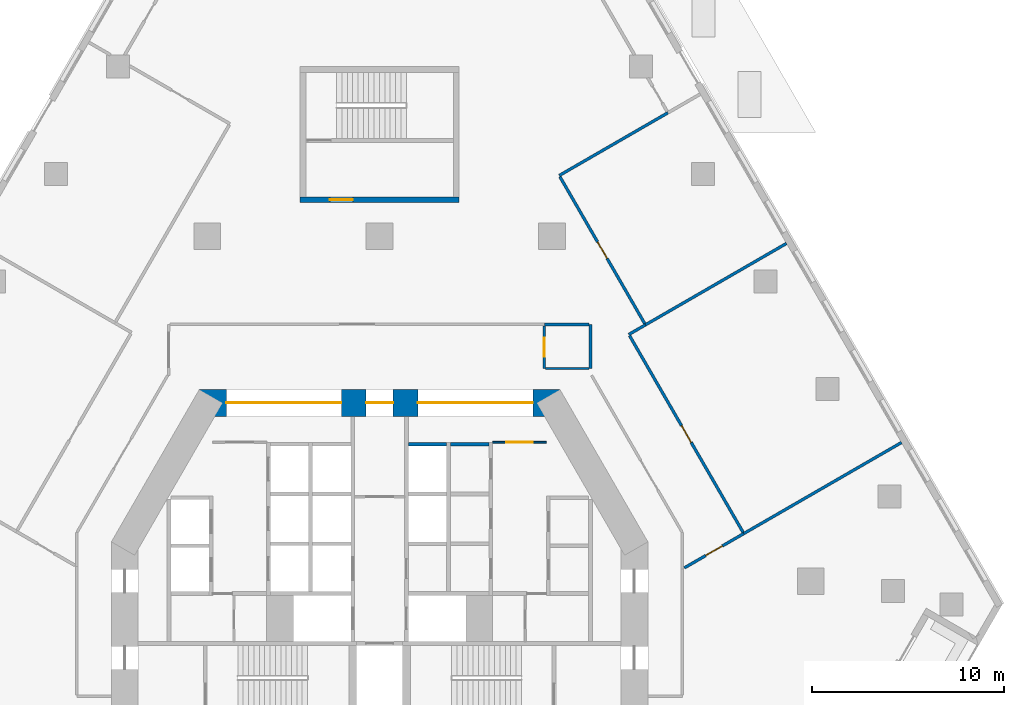
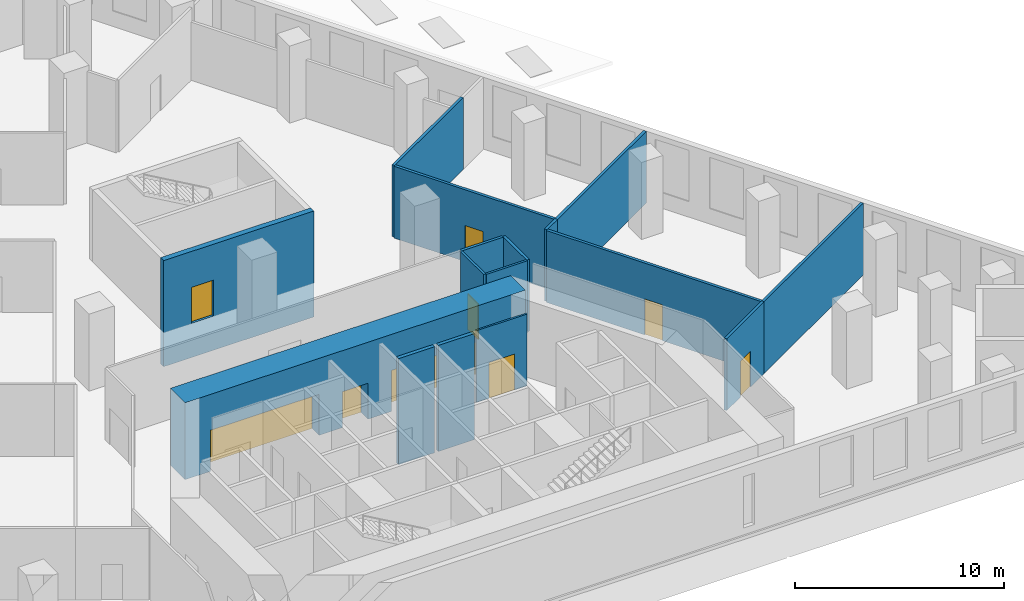
# One storey, part 7 of 13: 16 walls, 9 doors, 9 openings.
"""IFC4 building model written with IfcOpenShell, lengths in metres."""

from ifc_helpers import new_model, si_unit, direction, frame, frame_2d, origin, place, context, subcontext, project, spatial, rectangle, extrude, material, layer, layer_set, type_object, element, fill, save


model = new_model("IFC4")

# Units and contexts
model_context = context("Model", 3, precision=1e-05, world=origin(), true_north=direction((0.0, 1.0)))
body_context = subcontext(model_context, "Body", "Model", "MODEL_VIEW")
ifc_project = project(units=[si_unit("LENGTHUNIT", "METRE"), si_unit("AREAUNIT", "SQUARE_METRE"), si_unit("VOLUMEUNIT", "CUBIC_METRE"), si_unit("PLANEANGLEUNIT", "RADIAN"), si_unit("MASSUNIT", "GRAM", prefix="KILO")], contexts=[model_context])

# Site, building, storey
site_placement = place(None, origin())
site = spatial("IfcSite", under=ifc_project, at=site_placement, CompositionType="ELEMENT")
building_placement = place(site_placement, origin())
building = spatial("IfcBuilding", under=site, at=building_placement, Name="Fogline Exchange Tower", CompositionType="ELEMENT")
storey_placement = place(building_placement, frame((0.0, 0.0, 25.0)))
storey = spatial("IfcBuildingStorey", under=building, at=storey_placement, Name="L04", CompositionType="ELEMENT", Elevation=25.0)

# Wall, opening, door
ifc_material_1 = material(Name="Blockwork partition", Category="masonry")
ifc_layer_1 = layer(ifc_material_1, 0.10009765625)
ifc_layer_set_1 = layer_set([ifc_layer_1], Name="CW10")
wall_type_1 = type_object("IfcWallType", Name="CW10", PredefinedType="PARTITIONING", material=ifc_layer_set_1)
wall_1_placement = place(storey_placement, frame((5.89990234375, 16.25, 0.0), z_axis=(0.0, 0.0, 1.0), x_axis=(1.0, 0.0, 0.0)))
wall_1 = element("IfcWall", 1, at=wall_1_placement, inside=storey, type_object=wall_type_1, Name="Lift lobby partition", PredefinedType="PARTITIONING", context=body_context, shape_type="SweptSolid", body=[
    extrude(rectangle(XDim=2.800048828125, YDim=0.10009765625, at=frame_2d((1.39990234375, 0.0))), origin(), (0.0, 0.0, 1.0), 4.199951171875),
])
opening_1_placement = place(wall_1_placement, frame((0.699951171875, 0.0, 0.0)))
opening_1 = element("IfcOpeningElement", 2, at=opening_1_placement, cuts=wall_1, Name="Opening T00-C013", PredefinedType="OPENING", context=body_context, shape_type="SweptSolid", body=[
    extrude(rectangle(XDim=1.39990234375, YDim=2.10009765625, at=frame_2d((0.699951171875, 1.050048828125))), frame((0.0, 0.06005859375, 0.0), z_axis=(0.0, -1.0, 0.0), x_axis=(1.0, 0.0, 0.0)), (0.0, 0.0, 1.0), 0.1201171875),
])
ifc_material_2 = material(Name="Steel and timber fire door", Category="steel")
door_type_1 = type_object("IfcDoorType", Name="D-LB1", OperationType="DOUBLE_DOOR_SINGLE_SWING", PredefinedType="DOOR", material=ifc_material_2)
door_1_placement = place(opening_1_placement, origin())
door_1 = element("IfcDoor", 3, at=door_1_placement, inside=storey, type_object=door_type_1, Name="Door to lift lobby", OperationType="DOUBLE_DOOR_SINGLE_SWING", OverallHeight=2.10009765625, OverallWidth=1.39990234375, PredefinedType="DOOR", context=body_context, shape_type="SweptSolid", body=[
    extrude(rectangle(XDim=1.39990234375, YDim=2.10009765625, at=frame_2d((0.699951171875, 1.050048828125))), frame((0.0, 0.02490234375, 0.0), z_axis=(0.0, -1.0, 0.0), x_axis=(1.0, 0.0, 0.0)), (0.0, 0.0, 1.0), 0.050048828125),
])
fill(opening_1, door_1)

# Walls
ifc_material_3 = material(Name="Concrete C40", Category="concrete")
ifc_layer_2 = layer(ifc_material_3, 0.199951171875)
ifc_layer_set_2 = layer_set([ifc_layer_2], Name="CW20S")
wall_type_2 = type_object("IfcWallType", Name="CW20S", PredefinedType="SOLIDWALL", material=ifc_layer_set_2)
for number, where, z_axis, x_axis, name in (
    (4, (3.699951171875, 16.14990234375, -2.0), (0.0, 0.0, 1.0), (1.0, 0.0, 0.0), "Lift shaft wall"),
    (5, (1.5, 16.14990234375, -2.0), (0.0, 0.0, 1.0), (1.0, 0.0, 0.0), "Lift shaft wall"),
):
    element("IfcWall", number, at=place(storey_placement, frame(where, z_axis=z_axis, x_axis=x_axis)), inside=storey, type_object=wall_type_2, Name=name, PredefinedType="SOLIDWALL", context=body_context, shape_type="SweptSolid", body=[
        extrude(rectangle(XDim=2.0, YDim=0.199951171875, at=frame_2d((1.0, 0.0))), origin(), (0.0, 0.0, 1.0), 6.199951171875),
    ])

# Wall, opening, door
ifc_layer_3 = layer(ifc_material_3, 0.300048828125)
ifc_layer_set_3 = layer_set([ifc_layer_3], Name="CW30")
wall_type_3 = type_object("IfcWallType", Name="CW30", PredefinedType="SOLIDWALL", material=ifc_layer_set_3)
wall_2_placement = place(storey_placement, frame((-4.14990234375, 28.906982421875, -2.0), z_axis=(0.0, 0.0, 1.0), x_axis=(1.0, 0.0, 0.0)))
wall_2 = element("IfcWall", 6, at=wall_2_placement, inside=storey, type_object=wall_type_3, Name="Stair enclosure wall ST3", PredefinedType="SOLIDWALL", context=body_context, shape_type="SweptSolid", body=[
    extrude(rectangle(XDim=8.2998046875, YDim=0.300048828125, at=frame_2d((4.14990234375, 0.0))), origin(), (0.0, 0.0, 1.0), 6.199951171875),
])
opening_2_placement = place(wall_2_placement, frame((1.550048828125, 0.0, 2.0)))
opening_2 = element("IfcOpeningElement", 7, at=opening_2_placement, cuts=wall_2, Name="Opening T00-C023", PredefinedType="OPENING", context=body_context, shape_type="SweptSolid", body=[
    extrude(rectangle(XDim=1.199951171875, YDim=2.10009765625, at=frame_2d((0.60009765625, 1.050048828125))), frame((0.0, 0.16015625, 0.0), z_axis=(0.0, -1.0, 0.0), x_axis=(1.0, 0.0, 0.0)), (0.0, 0.0, 1.0), 0.320068359375),
])
door_type_2 = type_object("IfcDoorType", Name="D-FR1", OperationType="SINGLE_SWING_RIGHT", PredefinedType="DOOR", material=ifc_material_2)
door_2_placement = place(opening_2_placement, origin())
door_2 = element("IfcDoor", 8, at=door_2_placement, inside=storey, type_object=door_type_2, Name="Front room door ST3", OperationType="SINGLE_SWING_LEFT", OverallHeight=2.10009765625, OverallWidth=1.199951171875, PredefinedType="DOOR", context=body_context, shape_type="SweptSolid", body=[
    extrude(rectangle(XDim=1.199951171875, YDim=2.10009765625, at=frame_2d((0.60009765625, 1.050048828125))), frame((0.0, 0.02490234375, 0.0), z_axis=(0.0, -1.0, 0.0), x_axis=(1.0, 0.0, 0.0)), (0.0, 0.0, 1.0), 0.050048828125),
])
fill(opening_2, door_2)

ifc_material_4 = material(Name="Plasterboard corridor partition with mineral wool, 2 layers each side")
ifc_layer_4 = layer(ifc_material_4, 0.125)
ifc_layer_set_4 = layer_set([ifc_layer_4], Name="PW2")
wall_type_4 = type_object("IfcWallType", Name="PW2", PredefinedType="PARTITIONING", material=ifc_layer_set_4)
wall_3_placement = place(storey_placement, frame((8.60009765625, 22.324462890625, 0.0), z_axis=(0.0, 0.0, 1.0), x_axis=(0.0, -1.0, 0.0)))
wall_3 = element("IfcWall", 9, at=wall_3_placement, inside=storey, type_object=wall_type_4, Name="wall-L04-W007", PredefinedType="PARTITIONING", context=body_context, shape_type="SweptSolid", body=[
    extrude(rectangle(XDim=2.224365234375, YDim=0.125, at=frame_2d((1.1123046875, 0.0))), origin(), (0.0, 0.0, 1.0), 4.199951171875),
])
opening_3_placement = place(wall_3_placement, frame((0.6123046875, 0.0, 0.0)))
opening_3 = element("IfcOpeningElement", 10, at=opening_3_placement, cuts=wall_3, Name="Opening T00-D004", PredefinedType="OPENING", context=body_context, shape_type="SweptSolid", body=[
    extrude(rectangle(XDim=1.0, YDim=2.10009765625, at=frame_2d((0.5, 1.050048828125))), frame((0.0, 0.072509765625, 0.0), z_axis=(0.0, -1.0, 0.0), x_axis=(1.0, 0.0, 0.0)), (0.0, 0.0, 1.0), 0.14501953125),
])
ifc_material_5 = material(Name="Fire-rated timber door leaf with steel frame", Category="steel")
door_type_3 = type_object("IfcDoorType", Name="D3", OperationType="SINGLE_SWING_LEFT", PredefinedType="DOOR", material=ifc_material_5)
door_3_placement = place(opening_3_placement, origin())
door_3 = element("IfcDoor", 11, at=door_3_placement, inside=storey, type_object=door_type_3, Name="door-L04-D004", OperationType="SINGLE_SWING_RIGHT", OverallHeight=2.10009765625, OverallWidth=1.0, PredefinedType="DOOR", context=body_context, shape_type="SweptSolid", body=[
    extrude(rectangle(XDim=1.0, YDim=2.10009765625, at=frame_2d((0.5, 1.050048828125))), frame((0.0, 0.02490234375, 0.0), z_axis=(0.0, -1.0, 0.0), x_axis=(1.0, 0.0, 0.0)), (0.0, 0.0, 1.0), 0.050048828125),
])
fill(opening_3, door_3)

# Walls
wall_4_placement = place(storey_placement, frame((8.66259765625, 20.10009765625, 0.0), z_axis=(0.0, 0.0, 1.0), x_axis=(1.0, 0.0, 0.0)))
element("IfcWall", 12, at=wall_4_placement, inside=storey, type_object=wall_type_4, Name="wall-L04-W008", PredefinedType="PARTITIONING", context=body_context, shape_type="SweptSolid", body=[
    extrude(rectangle(XDim=2.262451171875, YDim=0.125, at=frame_2d((1.13134765625, 0.0))), origin(), (0.0, 0.0, 1.0), 4.199951171875),
])
ifc_material_6 = material(Name="Plasterboard demising partition with mineral wool and acoustic board")
ifc_layer_5 = layer(ifc_material_6, 0.14990234375)
ifc_layer_set_5 = layer_set([ifc_layer_5], Name="PW3")
wall_type_5 = type_object("IfcWallType", Name="PW3", PredefinedType="PARTITIONING", material=ifc_layer_set_5)
wall_5_placement = place(storey_placement, frame((9.373046875, 30.171142578125, 0.0), z_axis=(0.0, 0.0, 1.0), x_axis=(0.866021102686, 0.500007449647, 0.0)))
element("IfcWall", 13, at=wall_5_placement, inside=storey, type_object=wall_type_5, Name="wall-L04-W014", PredefinedType="PARTITIONING", context=body_context, shape_type="SweptSolid", body=[
    extrude(rectangle(XDim=6.55029296875, YDim=0.14990234375, at=frame_2d((3.275146484375, 0.0))), origin(), (0.0, 0.0, 1.0), 4.199951171875),
])

# Wall, opening, door
wall_6_placement = place(storey_placement, frame((13.835693359375, 22.44189453125, 0.0), z_axis=(0.0, 0.0, 1.0), x_axis=(-0.500005027614, 0.86602250107, 0.0)))
wall_6 = element("IfcWall", 14, at=wall_6_placement, inside=storey, type_object=wall_type_5, Name="wall-L04-W015", PredefinedType="PARTITIONING", context=body_context, shape_type="SweptSolid", body=[
    extrude(rectangle(XDim=8.85009765625, YDim=0.14990234375, at=frame_2d((4.425048828125, 0.0))), origin(), (0.0, 0.0, 1.0), 4.199951171875),
])
opening_4_placement = place(wall_6_placement, frame((3.925048828125, 0.0, 0.0)))
opening_4 = element("IfcOpeningElement", 15, at=opening_4_placement, cuts=wall_6, Name="Opening T00-D006", PredefinedType="OPENING", context=body_context, shape_type="SweptSolid", body=[
    extrude(rectangle(XDim=1.0, YDim=2.10009765625, at=frame_2d((0.5, 1.050048828125))), frame((0.0, 0.0849609375, 0.0), z_axis=(0.0, -1.0, 0.0), x_axis=(1.0, 0.0, 0.0)), (0.0, 0.0, 1.0), 0.169921875),
])
door_4_placement = place(opening_4_placement, frame((1.0, 0.0, 0.0), z_axis=(0.0, 0.0, 1.0), x_axis=(-1.0, 0.0, 0.0)))
door_4 = element("IfcDoor", 16, at=door_4_placement, inside=storey, type_object=door_type_3, Name="door-L04-D006", OperationType="SINGLE_SWING_RIGHT", OverallHeight=2.10009765625, OverallWidth=1.0, PredefinedType="DOOR", context=body_context, shape_type="SweptSolid", body=[
    extrude(rectangle(XDim=1.0, YDim=2.10009765625, at=frame_2d((0.5, 1.050048828125))), frame((0.0, 0.02490234375, 0.0), z_axis=(0.0, -1.0, 0.0), x_axis=(1.0, 0.0, 0.0)), (0.0, 0.0, 1.0), 0.050048828125),
])
fill(opening_4, door_4)

# Wall
wall_7_placement = place(storey_placement, frame((21.234375, 26.626953125, 0.0), z_axis=(0.0, 0.0, 1.0), x_axis=(-0.866028703517, -0.499994284652, 0.0)))
element("IfcWall", 17, at=wall_7_placement, inside=storey, type_object=wall_type_5, Name="wall-L04-W016", PredefinedType="PARTITIONING", context=body_context, shape_type="SweptSolid", body=[
    extrude(rectangle(XDim=8.5, YDim=0.14990234375, at=frame_2d((4.25, 0.0))), origin(), (0.0, 0.0, 1.0), 4.199951171875),
])

# Wall, opening, door
wall_8_placement = place(storey_placement, frame((19.007080078125, 11.484619140625, 0.0), z_axis=(0.0, 0.0, 1.0), x_axis=(-0.866048453834, -0.499960074017, 0.0)))
wall_8 = element("IfcWall", 18, at=wall_8_placement, inside=storey, type_object=wall_type_5, Name="wall-L04-W036", PredefinedType="PARTITIONING", context=body_context, shape_type="SweptSolid", body=[
    extrude(rectangle(XDim=3.587158203125, YDim=0.14990234375, at=frame_2d((1.79345703125, 0.0))), origin(), (0.0, 0.0, 1.0), 4.199951171875),
])
opening_5_placement = place(wall_8_placement, frame((1.293701171875, 0.0, 0.0)))
opening_5 = element("IfcOpeningElement", 19, at=opening_5_placement, cuts=wall_8, Name="Opening T00-D014", PredefinedType="OPENING", context=body_context, shape_type="SweptSolid", body=[
    extrude(rectangle(XDim=1.0, YDim=2.10009765625, at=frame_2d((0.5, 1.050048828125))), frame((0.0, 0.0849609375, 0.0), z_axis=(0.0, -1.0, 0.0), x_axis=(1.0, 0.0, 0.0)), (0.0, 0.0, 1.0), 0.169921875),
])
door_5_placement = place(opening_5_placement, origin())
door_5 = element("IfcDoor", 20, at=door_5_placement, inside=storey, type_object=door_type_3, Name="door-L04-D014", OperationType="SINGLE_SWING_RIGHT", OverallHeight=2.10009765625, OverallWidth=1.0, PredefinedType="DOOR", context=body_context, shape_type="SweptSolid", body=[
    extrude(rectangle(XDim=1.0, YDim=2.10009765625, at=frame_2d((0.5, 1.050048828125))), frame((0.0, 0.02490234375, 0.0), z_axis=(0.0, -1.0, 0.0), x_axis=(1.0, 0.0, 0.0)), (0.0, 0.0, 1.0), 0.050048828125),
])
fill(opening_5, door_5)

# Wall
wall_9_placement = place(storey_placement, frame((13.873046875, 22.376953125, 0.0), z_axis=(0.0, 0.0, 1.0), x_axis=(-0.866010750942, -0.50002537861, 0.0)))
element("IfcWall", 21, at=wall_9_placement, inside=storey, type_object=wall_type_5, Name="wall-L04-W037", PredefinedType="PARTITIONING", context=body_context, shape_type="SweptSolid", body=[
    extrude(rectangle(XDim=1.0, YDim=0.14990234375, at=frame_2d((0.5, 0.0))), origin(), (0.0, 0.0, 1.0), 4.199951171875),
])

# Wall, opening, door
wall_10_placement = place(storey_placement, frame((13.044677734375, 21.81201171875, 0.0), z_axis=(0.0, 0.0, 1.0), x_axis=(0.499994727438, -0.866028447878, 0.0)))
wall_10 = element("IfcWall", 22, at=wall_10_placement, inside=storey, type_object=wall_type_5, Name="wall-L04-W038", PredefinedType="PARTITIONING", context=body_context, shape_type="SweptSolid", body=[
    extrude(rectangle(XDim=11.849853515625, YDim=0.14990234375, at=frame_2d((5.9248046875, 0.0))), origin(), (0.0, 0.0, 1.0), 4.199951171875),
])
opening_6_placement = place(wall_10_placement, frame((5.425048828125, 0.0, 0.0)))
opening_6 = element("IfcOpeningElement", 23, at=opening_6_placement, cuts=wall_10, Name="Opening T00-D015", PredefinedType="OPENING", context=body_context, shape_type="SweptSolid", body=[
    extrude(rectangle(XDim=1.0, YDim=2.10009765625, at=frame_2d((0.5, 1.050048828125))), frame((0.0, 0.0849609375, 0.0), z_axis=(0.0, -1.0, 0.0), x_axis=(1.0, 0.0, 0.0)), (0.0, 0.0, 1.0), 0.169921875),
])
door_6_placement = place(opening_6_placement, origin())
door_6 = element("IfcDoor", 24, at=door_6_placement, inside=storey, type_object=door_type_3, Name="door-L04-D015", OperationType="SINGLE_SWING_RIGHT", OverallHeight=2.10009765625, OverallWidth=1.0, PredefinedType="DOOR", context=body_context, shape_type="SweptSolid", body=[
    extrude(rectangle(XDim=1.0, YDim=2.10009765625, at=frame_2d((0.5, 1.050048828125))), frame((0.0, 0.02490234375, 0.0), z_axis=(0.0, -1.0, 0.0), x_axis=(1.0, 0.0, 0.0)), (0.0, 0.0, 1.0), 0.050048828125),
])
fill(opening_6, door_6)

# Walls
wall_11_placement = place(storey_placement, frame((11.0, 20.10009765625, 0.0), z_axis=(0.0, 0.0, 1.0), x_axis=(0.0, 1.0, 0.0)))
element("IfcWall", 25, at=wall_11_placement, inside=storey, type_object=wall_type_5, Name="wall-L04-W039", PredefinedType="PARTITIONING", context=body_context, shape_type="SweptSolid", body=[
    extrude(rectangle(XDim=2.2998046875, YDim=0.14990234375, at=frame_2d((1.14990234375, 0.0))), origin(), (0.0, 0.0, 1.0), 4.199951171875),
])
wall_12_placement = place(storey_placement, frame((10.925048828125, 22.39990234375, 0.0), z_axis=(0.0, 0.0, 1.0), x_axis=(-1.0, 0.0, 0.0)))
element("IfcWall", 26, at=wall_12_placement, inside=storey, type_object=wall_type_5, Name="wall-L04-W040", PredefinedType="PARTITIONING", context=body_context, shape_type="SweptSolid", body=[
    extrude(rectangle(XDim=2.324951171875, YDim=0.14990234375, at=frame_2d((1.16259765625, 0.0))), origin(), (0.0, 0.0, 1.0), 4.199951171875),
])
wall_13_placement = place(storey_placement, frame((19.007080078125, 11.484619140625, 0.0), z_axis=(0.0, 0.0, 1.0), x_axis=(0.86602681393, 0.499997557548, 0.0)))
element("IfcWall", 27, at=wall_13_placement, inside=storey, type_object=wall_type_5, Name="wall-L04-W045", PredefinedType="PARTITIONING", context=body_context, shape_type="SweptSolid", body=[
    extrude(rectangle(XDim=9.5, YDim=0.14990234375, at=frame_2d((4.75, 0.0))), origin(), (0.0, 0.0, 1.0), 4.199951171875),
])

# Wall, openings, doors
ifc_material_7 = material(Name="Concrete C60", Category="concrete")
ifc_layer_6 = layer(ifc_material_7, 1.39990234375)
ifc_layer_set_6 = layer_set([ifc_layer_6], Name="SW01")
wall_type_6 = type_object("IfcWallType", Name="SW01", PredefinedType="SHEAR", material=ifc_layer_set_6)
wall_14_placement = place(storey_placement, frame((9.41162109375, 18.300048828125, 0.0), z_axis=(0.0, 0.0, 1.0), x_axis=(-1.0, 0.0, 0.0)))
wall_14 = element("IfcWall", 28, at=wall_14_placement, inside=storey, type_object=wall_type_6, Name="L04-W904", PredefinedType="SHEAR", context=body_context, shape_type="SweptSolid", body=[
    extrude(rectangle(XDim=18.8232421875, YDim=1.39990234375, at=frame_2d((9.41162109375, 0.0))), origin(), (0.0, 0.0, 1.0), 4.5),
])
opening_7_placement = place(wall_14_placement, frame((8.71142578125, 0.0, 0.0)))
opening_7 = element("IfcOpeningElement", 29, at=opening_7_placement, cuts=wall_14, Name="Opening T00-C020", PredefinedType="OPENING", context=body_context, shape_type="SweptSolid", body=[
    extrude(rectangle(XDim=1.39990234375, YDim=2.10009765625, at=frame_2d((0.699951171875, 1.050048828125))), frame((0.0, 0.7099609375, 0.0), z_axis=(0.0, -1.0, 0.0), x_axis=(1.0, 0.0, 0.0)), (0.0, 0.0, 1.0), 1.419921875),
])
opening_8_placement = place(wall_14_placement, frame((11.41162109375, 0.0, 0.0)))
opening_8 = element("IfcOpeningElement", 30, at=opening_8_placement, cuts=wall_14, Name="Opening T00-C021", PredefinedType="OPENING", context=body_context, shape_type="SweptSolid", body=[
    extrude(rectangle(XDim=6.0, YDim=2.39990234375, at=frame_2d((3.0, 1.199951171875))), frame((0.0, 0.7099609375, 0.0), z_axis=(0.0, -1.0, 0.0), x_axis=(1.0, 0.0, 0.0)), (0.0, 0.0, 1.0), 1.419921875),
])
opening_9_placement = place(wall_14_placement, frame((1.41162109375, 0.0, 0.0)))
opening_9 = element("IfcOpeningElement", 31, at=opening_9_placement, cuts=wall_14, Name="Opening T00-C022", PredefinedType="OPENING", context=body_context, shape_type="SweptSolid", body=[
    extrude(rectangle(XDim=6.0, YDim=2.39990234375, at=frame_2d((3.0, 1.199951171875))), frame((0.0, 0.7099609375, 0.0), z_axis=(0.0, -1.0, 0.0), x_axis=(1.0, 0.0, 0.0)), (0.0, 0.0, 1.0), 1.419921875),
])
door_7_placement = place(opening_7_placement, origin())
door_7 = element("IfcDoor", 32, at=door_7_placement, inside=storey, type_object=door_type_1, Name="Protected lobby door", OperationType="DOUBLE_DOOR_SINGLE_SWING", OverallHeight=2.10009765625, OverallWidth=1.39990234375, PredefinedType="DOOR", context=body_context, shape_type="SweptSolid", body=[
    extrude(rectangle(XDim=1.39990234375, YDim=2.10009765625, at=frame_2d((0.699951171875, 1.050048828125))), frame((0.0, 0.02490234375, 0.0), z_axis=(0.0, -1.0, 0.0), x_axis=(1.0, 0.0, 0.0)), (0.0, 0.0, 1.0), 0.050048828125),
])
fill(opening_7, door_7)
door_type_4 = type_object("IfcDoorType", Name="D-LE1", OperationType="DOUBLE_DOOR_SLIDING", PredefinedType="DOOR", material=ifc_material_2)
door_8_placement = place(opening_8_placement, origin())
door_8 = element("IfcDoor", 33, at=door_8_placement, inside=storey, type_object=door_type_4, Name="Lift lobby entrance west", OperationType="DOUBLE_DOOR_SLIDING", OverallHeight=2.39990234375, OverallWidth=6.0, PredefinedType="DOOR", context=body_context, shape_type="SweptSolid", body=[
    extrude(rectangle(XDim=6.0, YDim=2.39990234375, at=frame_2d((3.0, 1.199951171875))), frame((0.0, 0.02490234375, 0.0), z_axis=(0.0, -1.0, 0.0), x_axis=(1.0, 0.0, 0.0)), (0.0, 0.0, 1.0), 0.050048828125),
])
fill(opening_8, door_8)
door_9_placement = place(opening_9_placement, origin())
door_9 = element("IfcDoor", 34, at=door_9_placement, inside=storey, type_object=door_type_4, Name="Lift lobby entrance east", OperationType="DOUBLE_DOOR_SLIDING", OverallHeight=2.39990234375, OverallWidth=6.0, PredefinedType="DOOR", context=body_context, shape_type="SweptSolid", body=[
    extrude(rectangle(XDim=6.0, YDim=2.39990234375, at=frame_2d((3.0, 1.199951171875))), frame((0.0, 0.02490234375, 0.0), z_axis=(0.0, -1.0, 0.0), x_axis=(1.0, 0.0, 0.0)), (0.0, 0.0, 1.0), 0.050048828125),
])
fill(opening_9, door_9)

save(model, "model.ifc")
